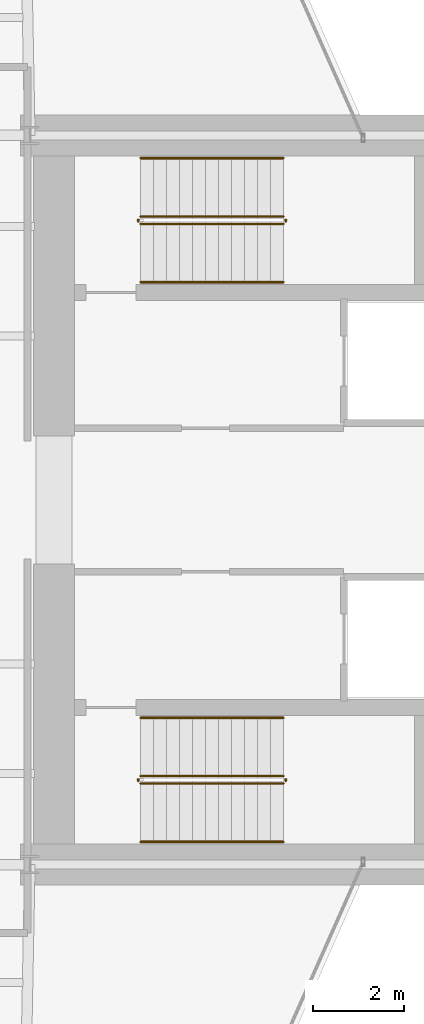
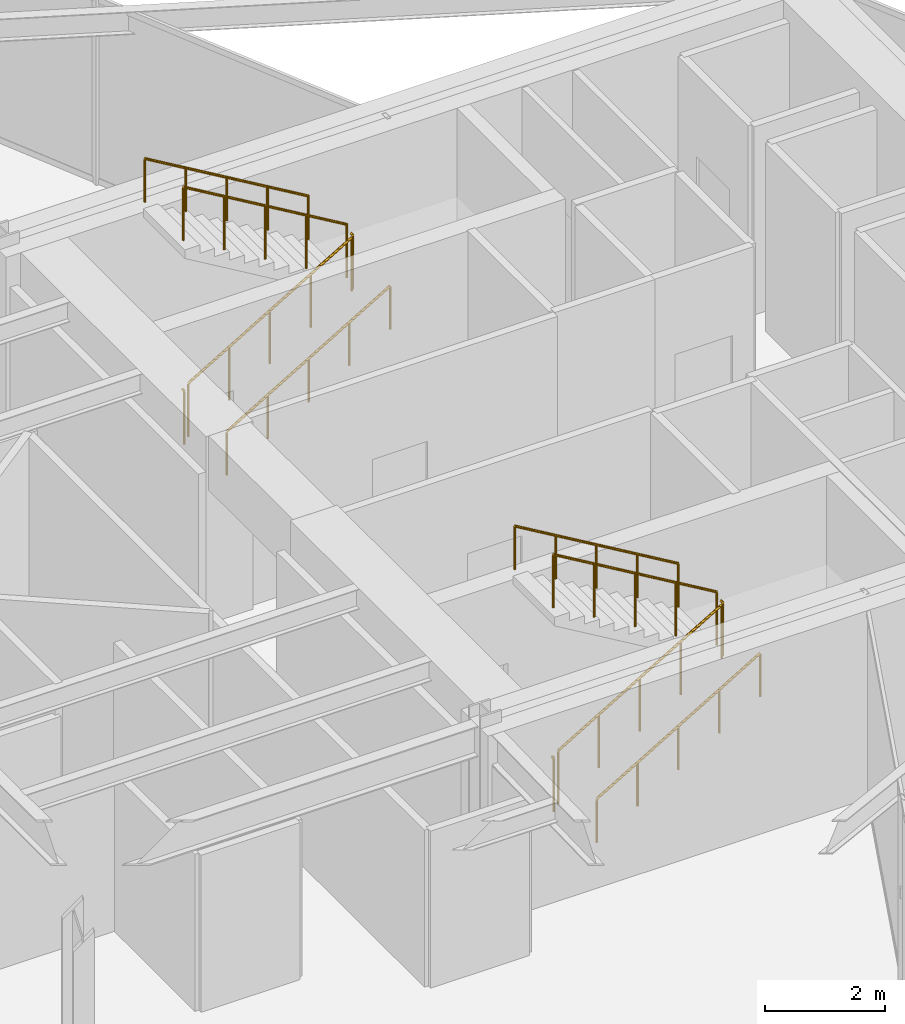
# One storey, part 23 of 23: 12 railings.
"""IFC4 building model written with IfcOpenShell, lengths in metres."""

from ifc_helpers import new_model, si_unit, direction, frame, origin, origin_2d, place, context, subcontext, project, spatial, circle, extrude, material, type_object, element, save


model = new_model("IFC4")

# Units and contexts
model_context = context("Model", 3, precision=1e-05, world=origin(), true_north=direction((0.0, 1.0)))
body_context = subcontext(model_context, "Body", "Model", "MODEL_VIEW")
ifc_project = project(units=[si_unit("LENGTHUNIT", "METRE"), si_unit("AREAUNIT", "SQUARE_METRE"), si_unit("VOLUMEUNIT", "CUBIC_METRE"), si_unit("PLANEANGLEUNIT", "RADIAN"), si_unit("MASSUNIT", "GRAM", prefix="KILO")], contexts=[model_context])

# Site, building, storey
site_placement = place(None, origin())
site = spatial("IfcSite", under=ifc_project, at=site_placement, CompositionType="ELEMENT")
building_placement = place(site_placement, origin())
building = spatial("IfcBuilding", under=site, at=building_placement, Name="Veymaron Broadcast Tower", CompositionType="ELEMENT")
storey_placement = place(building_placement, frame((0.0, 0.0, 94.5)))
storey = spatial("IfcBuildingStorey", under=building, at=storey_placement, Name="L21", CompositionType="ELEMENT", Elevation=94.5)

# Railings
ifc_material_1 = material(Name="Brushed stainless steel AISI 304", Category="steel")
railing_type_1 = type_object("IfcRailingType", Name="RAIL-STAIR-HR", PredefinedType="HANDRAIL", material=ifc_material_1)
railing_1_placement = place(storey_placement, frame((41.429931640625, 28.780029296875, 0.168701171875)))
element("IfcRailing", 1, at=railing_1_placement, inside=storey, type_object=railing_type_1, Name="L21 ST1 stair handrail 1", PredefinedType="HANDRAIL", context=body_context, shape_type="SweptSolid", body=[
    extrude(circle(Radius=0.02392578125, at=origin_2d()), frame((0.0, 0.0, 0.8759765625), z_axis=(0.860481960309, 0.0, 0.509480908359), x_axis=(0.0, 1.0, 0.0)), (0.0, 0.0, 1.0), 3.643310546875),
    extrude(circle(Radius=0.02099609375, at=origin_2d()), origin(), (0.0, 0.0, 1.0), 0.851806640625),
    extrude(circle(Radius=0.02099609375, at=origin_2d()), frame((0.78369140625, 0.0, 0.464111328125)), (0.0, 0.0, 1.0), 0.851806640625),
    extrude(circle(Radius=0.02099609375, at=origin_2d()), frame((1.5673828125, 0.0, 0.92822265625)), (0.0, 0.0, 1.0), 0.851806640625),
    extrude(circle(Radius=0.02099609375, at=origin_2d()), frame((2.351318359375, 0.0, 1.39208984375)), (0.0, 0.0, 1.0), 0.851806640625),
    extrude(circle(Radius=0.02099609375, at=origin_2d()), frame((3.135009765625, 0.0, 1.856201171875)), (0.0, 0.0, 1.0), 0.851806640625),
])
railing_2_placement = place(storey_placement, frame((44.56494140625, 31.5, 2.19384765625)))
element("IfcRailing", 2, at=railing_2_placement, inside=storey, type_object=railing_type_1, Name="L21 ST1 stair handrail 2", PredefinedType="HANDRAIL", context=body_context, shape_type="SweptSolid", body=[
    extrude(circle(Radius=0.02392578125, at=origin_2d()), frame((0.0, 0.0, 0.8759765625), z_axis=(-0.860481960309, 0.0, 0.509480908359), x_axis=(0.0, -1.0, 0.0)), (0.0, 0.0, 1.0), 3.643310546875),
    extrude(circle(Radius=0.02099609375, at=origin_2d()), origin(), (0.0, 0.0, 1.0), 0.851806640625),
    extrude(circle(Radius=0.02099609375, at=origin_2d()), frame((-0.78369140625, 0.0, 0.464111328125)), (0.0, 0.0, 1.0), 0.851806640625),
    extrude(circle(Radius=0.02099609375, at=origin_2d()), frame((-1.5673828125, 0.0, 0.92822265625)), (0.0, 0.0, 1.0), 0.851806640625),
    extrude(circle(Radius=0.02099609375, at=origin_2d()), frame((-2.351318359375, 0.0, 1.39208984375)), (0.0, 0.0, 1.0), 0.851806640625),
    extrude(circle(Radius=0.02099609375, at=origin_2d()), frame((-3.135009765625, 0.0, 1.856201171875)), (0.0, 0.0, 1.0), 0.851806640625),
])
railing_3_placement = place(storey_placement, frame((41.429931640625, 16.5, 0.168701171875)))
element("IfcRailing", 3, at=railing_3_placement, inside=storey, type_object=railing_type_1, Name="L21 ST2 stair handrail 1", PredefinedType="HANDRAIL", context=body_context, shape_type="SweptSolid", body=[
    extrude(circle(Radius=0.02392578125, at=origin_2d()), frame((0.0, 0.0, 0.8759765625), z_axis=(0.860481960309, 0.0, 0.509480908359), x_axis=(0.0, 1.0, 0.0)), (0.0, 0.0, 1.0), 3.643310546875),
    extrude(circle(Radius=0.02099609375, at=origin_2d()), origin(), (0.0, 0.0, 1.0), 0.851806640625),
    extrude(circle(Radius=0.02099609375, at=origin_2d()), frame((0.78369140625, 0.0, 0.464111328125)), (0.0, 0.0, 1.0), 0.851806640625),
    extrude(circle(Radius=0.02099609375, at=origin_2d()), frame((1.5673828125, 0.0, 0.92822265625)), (0.0, 0.0, 1.0), 0.851806640625),
    extrude(circle(Radius=0.02099609375, at=origin_2d()), frame((2.351318359375, 0.0, 1.39208984375)), (0.0, 0.0, 1.0), 0.851806640625),
    extrude(circle(Radius=0.02099609375, at=origin_2d()), frame((3.135009765625, 0.0, 1.856201171875)), (0.0, 0.0, 1.0), 0.851806640625),
])
railing_4_placement = place(storey_placement, frame((44.56494140625, 19.219970703125, 2.19384765625)))
element("IfcRailing", 4, at=railing_4_placement, inside=storey, type_object=railing_type_1, Name="L21 ST2 stair handrail 2", PredefinedType="HANDRAIL", context=body_context, shape_type="SweptSolid", body=[
    extrude(circle(Radius=0.02392578125, at=origin_2d()), frame((0.0, 0.0, 0.8759765625), z_axis=(-0.860481960309, 0.0, 0.509480908359), x_axis=(0.0, -1.0, 0.0)), (0.0, 0.0, 1.0), 3.643310546875),
    extrude(circle(Radius=0.02099609375, at=origin_2d()), origin(), (0.0, 0.0, 1.0), 0.851806640625),
    extrude(circle(Radius=0.02099609375, at=origin_2d()), frame((-0.78369140625, 0.0, 0.464111328125)), (0.0, 0.0, 1.0), 0.851806640625),
    extrude(circle(Radius=0.02099609375, at=origin_2d()), frame((-1.5673828125, 0.0, 0.92822265625)), (0.0, 0.0, 1.0), 0.851806640625),
    extrude(circle(Radius=0.02099609375, at=origin_2d()), frame((-2.351318359375, 0.0, 1.39208984375)), (0.0, 0.0, 1.0), 0.851806640625),
    extrude(circle(Radius=0.02099609375, at=origin_2d()), frame((-3.135009765625, 0.0, 1.856201171875)), (0.0, 0.0, 1.0), 0.851806640625),
])
ifc_material_2 = material(Name="Painted galvanized steel balustrade", Category="steel")
railing_type_2 = type_object("IfcRailingType", Name="RAIL-WELL-GRD", PredefinedType="GUARDRAIL", material=ifc_material_2)
railing_5_placement = place(storey_placement, frame((41.429931640625, 30.06005859375, 0.168701171875)))
element("IfcRailing", 5, at=railing_5_placement, inside=storey, type_object=railing_type_2, Name="L21 ST1 stair guard 1", PredefinedType="GUARDRAIL", context=body_context, shape_type="SweptSolid", body=[
    extrude(circle(Radius=0.02392578125, at=origin_2d()), frame((0.0, 0.0, 1.076171875), z_axis=(0.860481960309, 0.0, 0.509480908359), x_axis=(0.0, 1.0, 0.0)), (0.0, 0.0, 1.0), 3.643310546875),
    extrude(circle(Radius=0.02099609375, at=origin_2d()), origin(), (0.0, 0.0, 1.0), 1.052001953125),
    extrude(circle(Radius=0.02099609375, at=origin_2d()), frame((0.78369140625, 0.0, 0.464111328125)), (0.0, 0.0, 1.0), 1.052001953125),
    extrude(circle(Radius=0.02099609375, at=origin_2d()), frame((1.5673828125, 0.0, 0.92822265625)), (0.0, 0.0, 1.0), 1.052001953125),
    extrude(circle(Radius=0.02099609375, at=origin_2d()), frame((2.351318359375, 0.0, 1.39208984375)), (0.0, 0.0, 1.0), 1.052001953125),
    extrude(circle(Radius=0.02099609375, at=origin_2d()), frame((3.135009765625, 0.0, 1.856201171875)), (0.0, 0.0, 1.0), 1.052001953125),
])
railing_6_placement = place(storey_placement, frame((44.614990234375, 30.110107421875, 2.02490234375)))
element("IfcRailing", 6, at=railing_6_placement, inside=storey, type_object=railing_type_2, Name="L21 ST1 stair guard 2", PredefinedType="GUARDRAIL", context=body_context, shape_type="SweptSolid", body=[
    extrude(circle(Radius=0.02392578125, at=origin_2d()), frame((0.0, 0.0, 1.076171875), z_axis=(0.0, 1.0, 0.0), x_axis=(-1.0, 0.0, 0.0)), (0.0, 0.0, 1.0), 0.059814453125),
    extrude(circle(Radius=0.02099609375, at=origin_2d()), origin(), (0.0, 0.0, 1.0), 1.052001953125),
])
railing_7_placement = place(storey_placement, frame((44.56494140625, 30.219970703125, 2.19384765625)))
element("IfcRailing", 7, at=railing_7_placement, inside=storey, type_object=railing_type_2, Name="L21 ST1 stair guard 3", PredefinedType="GUARDRAIL", context=body_context, shape_type="SweptSolid", body=[
    extrude(circle(Radius=0.02392578125, at=origin_2d()), frame((0.0, 0.0, 1.076171875), z_axis=(-0.860481960309, 0.0, 0.509480908359), x_axis=(0.0, -1.0, 0.0)), (0.0, 0.0, 1.0), 3.643310546875),
    extrude(circle(Radius=0.02099609375, at=origin_2d()), origin(), (0.0, 0.0, 1.0), 1.052001953125),
    extrude(circle(Radius=0.02099609375, at=origin_2d()), frame((-0.78369140625, 0.0, 0.464111328125)), (0.0, 0.0, 1.0), 1.052001953125),
    extrude(circle(Radius=0.02099609375, at=origin_2d()), frame((-1.5673828125, 0.0, 0.92822265625)), (0.0, 0.0, 1.0), 1.052001953125),
    extrude(circle(Radius=0.02099609375, at=origin_2d()), frame((-2.351318359375, 0.0, 1.39208984375)), (0.0, 0.0, 1.0), 1.052001953125),
    extrude(circle(Radius=0.02099609375, at=origin_2d()), frame((-3.135009765625, 0.0, 1.856201171875)), (0.0, 0.0, 1.0), 1.052001953125),
])
railing_8_placement = place(storey_placement, frame((41.3798828125, 30.110107421875, 0.0)))
element("IfcRailing", 8, at=railing_8_placement, inside=storey, type_object=railing_type_2, Name="L21 ST1 stair guard 4", PredefinedType="GUARDRAIL", context=body_context, shape_type="SweptSolid", body=[
    extrude(circle(Radius=0.02392578125, at=origin_2d()), frame((0.0, 0.0, 1.076171875), z_axis=(0.0, 1.0, 0.0), x_axis=(-1.0, 0.0, 0.0)), (0.0, 0.0, 1.0), 0.059814453125),
    extrude(circle(Radius=0.02099609375, at=origin_2d()), origin(), (0.0, 0.0, 1.0), 1.052001953125),
])
railing_9_placement = place(storey_placement, frame((41.429931640625, 17.780029296875, 0.168701171875)))
element("IfcRailing", 9, at=railing_9_placement, inside=storey, type_object=railing_type_2, Name="L21 ST2 stair guard 1", PredefinedType="GUARDRAIL", context=body_context, shape_type="SweptSolid", body=[
    extrude(circle(Radius=0.02392578125, at=origin_2d()), frame((0.0, 0.0, 1.076171875), z_axis=(0.860481960309, 0.0, 0.509480908359), x_axis=(0.0, 1.0, 0.0)), (0.0, 0.0, 1.0), 3.643310546875),
    extrude(circle(Radius=0.02099609375, at=origin_2d()), origin(), (0.0, 0.0, 1.0), 1.052001953125),
    extrude(circle(Radius=0.02099609375, at=origin_2d()), frame((0.78369140625, 0.0, 0.464111328125)), (0.0, 0.0, 1.0), 1.052001953125),
    extrude(circle(Radius=0.02099609375, at=origin_2d()), frame((1.5673828125, 0.0, 0.92822265625)), (0.0, 0.0, 1.0), 1.052001953125),
    extrude(circle(Radius=0.02099609375, at=origin_2d()), frame((2.351318359375, 0.0, 1.39208984375)), (0.0, 0.0, 1.0), 1.052001953125),
    extrude(circle(Radius=0.02099609375, at=origin_2d()), frame((3.135009765625, 0.0, 1.856201171875)), (0.0, 0.0, 1.0), 1.052001953125),
])
railing_10_placement = place(storey_placement, frame((44.614990234375, 17.830078125, 2.02490234375)))
element("IfcRailing", 10, at=railing_10_placement, inside=storey, type_object=railing_type_2, Name="L21 ST2 stair guard 2", PredefinedType="GUARDRAIL", context=body_context, shape_type="SweptSolid", body=[
    extrude(circle(Radius=0.02392578125, at=origin_2d()), frame((0.0, 0.0, 1.076171875), z_axis=(0.0, 1.0, 0.0), x_axis=(-1.0, 0.0, 0.0)), (0.0, 0.0, 1.0), 0.059814453125),
    extrude(circle(Radius=0.02099609375, at=origin_2d()), origin(), (0.0, 0.0, 1.0), 1.052001953125),
])
railing_11_placement = place(storey_placement, frame((44.56494140625, 17.93994140625, 2.19384765625)))
element("IfcRailing", 11, at=railing_11_placement, inside=storey, type_object=railing_type_2, Name="L21 ST2 stair guard 3", PredefinedType="GUARDRAIL", context=body_context, shape_type="SweptSolid", body=[
    extrude(circle(Radius=0.02392578125, at=origin_2d()), frame((0.0, 0.0, 1.076171875), z_axis=(-0.860481960309, 0.0, 0.509480908359), x_axis=(0.0, -1.0, 0.0)), (0.0, 0.0, 1.0), 3.643310546875),
    extrude(circle(Radius=0.02099609375, at=origin_2d()), origin(), (0.0, 0.0, 1.0), 1.052001953125),
    extrude(circle(Radius=0.02099609375, at=origin_2d()), frame((-0.78369140625, 0.0, 0.464111328125)), (0.0, 0.0, 1.0), 1.052001953125),
    extrude(circle(Radius=0.02099609375, at=origin_2d()), frame((-1.5673828125, 0.0, 0.92822265625)), (0.0, 0.0, 1.0), 1.052001953125),
    extrude(circle(Radius=0.02099609375, at=origin_2d()), frame((-2.351318359375, 0.0, 1.39208984375)), (0.0, 0.0, 1.0), 1.052001953125),
    extrude(circle(Radius=0.02099609375, at=origin_2d()), frame((-3.135009765625, 0.0, 1.856201171875)), (0.0, 0.0, 1.0), 1.052001953125),
])
railing_12_placement = place(storey_placement, frame((41.3798828125, 17.830078125, 0.0)))
element("IfcRailing", 12, at=railing_12_placement, inside=storey, type_object=railing_type_2, Name="L21 ST2 stair guard 4", PredefinedType="GUARDRAIL", context=body_context, shape_type="SweptSolid", body=[
    extrude(circle(Radius=0.02392578125, at=origin_2d()), frame((0.0, 0.0, 1.076171875), z_axis=(0.0, 1.0, 0.0), x_axis=(-1.0, 0.0, 0.0)), (0.0, 0.0, 1.0), 0.059814453125),
    extrude(circle(Radius=0.02099609375, at=origin_2d()), origin(), (0.0, 0.0, 1.0), 1.052001953125),
])

save(model, "model.ifc")
